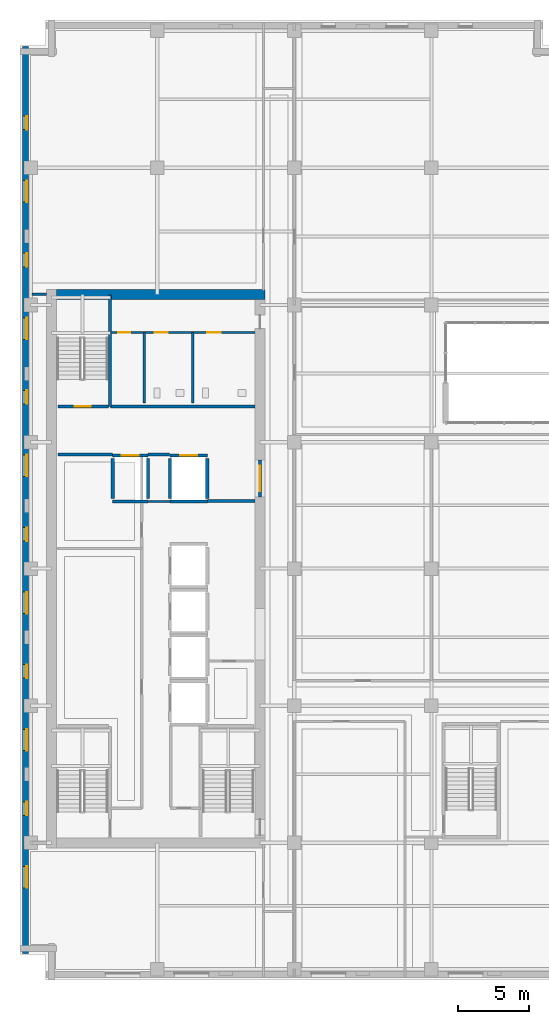
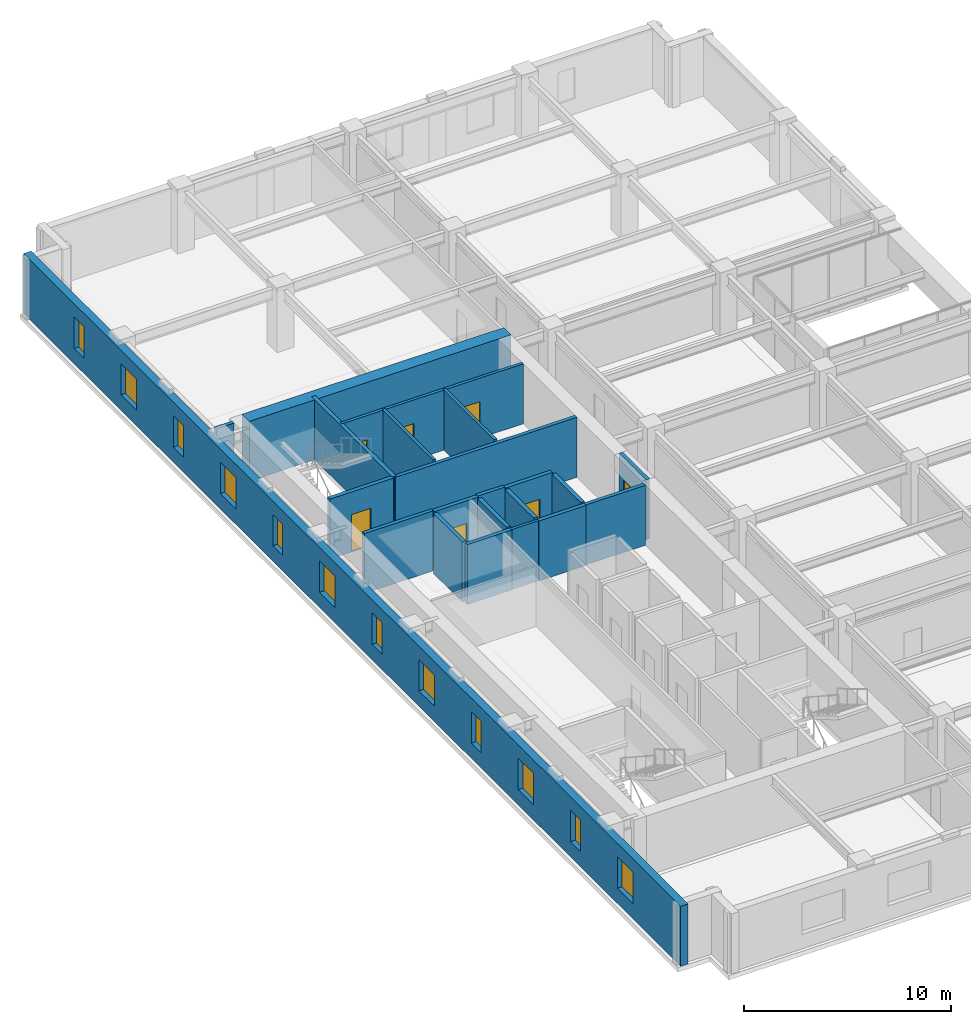
# One storey, part 6 of 13: 22 walls, 12 windows, 7 doors, 19 openings.
"""IFC4 building model written with IfcOpenShell, lengths in metres."""

from ifc_helpers import new_model, si_unit, direction, frame, frame_2d, origin, place, context, subcontext, project, spatial, rectangle, extrude, material, layer, layer_set, type_object, element, fill, save


model = new_model("IFC4")

# Units and contexts
model_context = context("Model", 3, precision=1e-05, world=origin(), true_north=direction((0.0, 1.0)))
body_context = subcontext(model_context, "Body", "Model", "MODEL_VIEW")
ifc_project = project(units=[si_unit("LENGTHUNIT", "METRE"), si_unit("AREAUNIT", "SQUARE_METRE"), si_unit("VOLUMEUNIT", "CUBIC_METRE"), si_unit("PLANEANGLEUNIT", "RADIAN"), si_unit("MASSUNIT", "GRAM", prefix="KILO")], contexts=[model_context])

# Site, building, storey
site_placement = place(None, origin())
site = spatial("IfcSite", under=ifc_project, at=site_placement, CompositionType="ELEMENT")
building_placement = place(site_placement, origin())
building = spatial("IfcBuilding", under=site, at=building_placement, Name="Norrvale University Quadrangle", CompositionType="ELEMENT")
storey_placement = place(building_placement, frame((0.0, 0.0, 171.199951171875)))
storey = spatial("IfcBuildingStorey", under=building, at=storey_placement, Name="L43", CompositionType="ELEMENT", Elevation=171.199951171875)

# Wall, openings, windows
ifc_material_1 = material(Name="Buff Norman Clay Brick Masonry", Category="masonry")
ifc_layer_1 = layer(ifc_material_1, 0.419921875, Name="Buff Norman Clay Brick Masonry")
ifc_layer_set_1 = layer_set([ifc_layer_1], Name="Buff Norman Clay Brick Masonry")
wall_type_1 = type_object("IfcWallType", Name="Wall Buff Brick 420", PredefinedType="SOLIDWALL", material=ifc_layer_set_1)
wall_1_placement = place(storey_placement, frame((0.389892578125, 65.360107421875, 0.0), z_axis=(0.0, 0.0, 1.0), x_axis=(0.0, -1.0, 0.0)))
wall_1 = element("IfcWall", 1, at=wall_1_placement, inside=storey, type_object=wall_type_1, Name="Exterior Brick Facade Wall L43-14.1", PredefinedType="SOLIDWALL", context=body_context, shape_type="SweptSolid", body=[
    extrude(rectangle(XDim=63.52001953125, YDim=0.419921875, at=frame_2d((31.760009765625, 0.0))), origin(), (0.0, 0.0, 1.0), 3.5400390625),
])
opening_1_placement = place(wall_1_placement, frame((4.885009765625, 0.0, 0.89990234375)))
opening_1 = element("IfcOpeningElement", 2, at=opening_1_placement, cuts=wall_1, Name="Opening W04", PredefinedType="OPENING", context=body_context, shape_type="SweptSolid", body=[
    extrude(rectangle(XDim=0.949951171875, YDim=1.85009765625, at=frame_2d((0.47509765625, 0.925048828125))), frame((0.0, 0.221923828125, 0.0), z_axis=(0.0, -1.0, 0.0), x_axis=(1.0, 0.0, 0.0)), (0.0, 0.0, 1.0), 0.44384765625),
])
opening_2_placement = place(wall_1_placement, frame((9.409912109375, 0.0, 0.89990234375)))
opening_2 = element("IfcOpeningElement", 3, at=opening_2_placement, cuts=wall_1, Name="Opening W03", PredefinedType="OPENING", context=body_context, shape_type="SweptSolid", body=[
    extrude(rectangle(XDim=1.5, YDim=1.85009765625, at=frame_2d((0.75, 0.925048828125))), frame((0.0, 0.221923828125, 0.0), z_axis=(0.0, -1.0, 0.0), x_axis=(1.0, 0.0, 0.0)), (0.0, 0.0, 1.0), 0.44384765625),
])
opening_3_placement = place(wall_1_placement, frame((14.485107421875, 0.0, 0.89990234375)))
opening_3 = element("IfcOpeningElement", 4, at=opening_3_placement, cuts=wall_1, Name="Opening W04", PredefinedType="OPENING", context=body_context, shape_type="SweptSolid", body=[
    extrude(rectangle(XDim=0.949951171875, YDim=1.85009765625, at=frame_2d((0.47509765625, 0.925048828125))), frame((0.0, 0.221923828125, 0.0), z_axis=(0.0, -1.0, 0.0), x_axis=(1.0, 0.0, 0.0)), (0.0, 0.0, 1.0), 0.44384765625),
])
opening_4_placement = place(wall_1_placement, frame((19.010009765625, 0.0, 0.89990234375)))
opening_4 = element("IfcOpeningElement", 5, at=opening_4_placement, cuts=wall_1, Name="Opening W03", PredefinedType="OPENING", context=body_context, shape_type="SweptSolid", body=[
    extrude(rectangle(XDim=1.5, YDim=1.85009765625, at=frame_2d((0.75, 0.925048828125))), frame((0.0, 0.221923828125, 0.0), z_axis=(0.0, -1.0, 0.0), x_axis=(1.0, 0.0, 0.0)), (0.0, 0.0, 1.0), 0.44384765625),
])
opening_5_placement = place(wall_1_placement, frame((24.0849609375, 0.0, 0.89990234375)))
opening_5 = element("IfcOpeningElement", 6, at=opening_5_placement, cuts=wall_1, Name="Opening W04", PredefinedType="OPENING", context=body_context, shape_type="SweptSolid", body=[
    extrude(rectangle(XDim=0.949951171875, YDim=1.85009765625, at=frame_2d((0.47509765625, 0.925048828125))), frame((0.0, 0.221923828125, 0.0), z_axis=(0.0, -1.0, 0.0), x_axis=(1.0, 0.0, 0.0)), (0.0, 0.0, 1.0), 0.44384765625),
])
opening_6_placement = place(wall_1_placement, frame((28.610107421875, 0.0, 0.89990234375)))
opening_6 = element("IfcOpeningElement", 7, at=opening_6_placement, cuts=wall_1, Name="Opening W03", PredefinedType="OPENING", context=body_context, shape_type="SweptSolid", body=[
    extrude(rectangle(XDim=1.5, YDim=1.85009765625, at=frame_2d((0.75, 0.925048828125))), frame((0.0, 0.221923828125, 0.0), z_axis=(0.0, -1.0, 0.0), x_axis=(1.0, 0.0, 0.0)), (0.0, 0.0, 1.0), 0.44384765625),
])
opening_7_placement = place(wall_1_placement, frame((33.68505859375, 0.0, 0.89990234375)))
opening_7 = element("IfcOpeningElement", 8, at=opening_7_placement, cuts=wall_1, Name="Opening W04", PredefinedType="OPENING", context=body_context, shape_type="SweptSolid", body=[
    extrude(rectangle(XDim=0.949951171875, YDim=1.85009765625, at=frame_2d((0.47509765625, 0.925048828125))), frame((0.0, 0.221923828125, 0.0), z_axis=(0.0, -1.0, 0.0), x_axis=(1.0, 0.0, 0.0)), (0.0, 0.0, 1.0), 0.44384765625),
])
opening_8_placement = place(wall_1_placement, frame((38.2099609375, 0.0, 0.89990234375)))
opening_8 = element("IfcOpeningElement", 9, at=opening_8_placement, cuts=wall_1, Name="Opening W03", PredefinedType="OPENING", context=body_context, shape_type="SweptSolid", body=[
    extrude(rectangle(XDim=1.5, YDim=1.85009765625, at=frame_2d((0.75, 0.925048828125))), frame((0.0, 0.221923828125, 0.0), z_axis=(0.0, -1.0, 0.0), x_axis=(1.0, 0.0, 0.0)), (0.0, 0.0, 1.0), 0.44384765625),
])
opening_9_placement = place(wall_1_placement, frame((43.284912109375, 0.0, 0.89990234375)))
opening_9 = element("IfcOpeningElement", 10, at=opening_9_placement, cuts=wall_1, Name="Opening W04", PredefinedType="OPENING", context=body_context, shape_type="SweptSolid", body=[
    extrude(rectangle(XDim=0.949951171875, YDim=1.85009765625, at=frame_2d((0.47509765625, 0.925048828125))), frame((0.0, 0.221923828125, 0.0), z_axis=(0.0, -1.0, 0.0), x_axis=(1.0, 0.0, 0.0)), (0.0, 0.0, 1.0), 0.44384765625),
])
opening_10_placement = place(wall_1_placement, frame((47.81005859375, 0.0, 0.89990234375)))
opening_10 = element("IfcOpeningElement", 11, at=opening_10_placement, cuts=wall_1, Name="Opening W03", PredefinedType="OPENING", context=body_context, shape_type="SweptSolid", body=[
    extrude(rectangle(XDim=1.5, YDim=1.85009765625, at=frame_2d((0.75, 0.925048828125))), frame((0.0, 0.221923828125, 0.0), z_axis=(0.0, -1.0, 0.0), x_axis=(1.0, 0.0, 0.0)), (0.0, 0.0, 1.0), 0.44384765625),
])
opening_11_placement = place(wall_1_placement, frame((52.885009765625, 0.0, 0.89990234375)))
opening_11 = element("IfcOpeningElement", 12, at=opening_11_placement, cuts=wall_1, Name="Opening W04", PredefinedType="OPENING", context=body_context, shape_type="SweptSolid", body=[
    extrude(rectangle(XDim=0.949951171875, YDim=1.85009765625, at=frame_2d((0.47509765625, 0.925048828125))), frame((0.0, 0.221923828125, 0.0), z_axis=(0.0, -1.0, 0.0), x_axis=(1.0, 0.0, 0.0)), (0.0, 0.0, 1.0), 0.44384765625),
])
opening_12_placement = place(wall_1_placement, frame((57.409912109375, 0.0, 0.89990234375)))
opening_12 = element("IfcOpeningElement", 13, at=opening_12_placement, cuts=wall_1, Name="Opening W03", PredefinedType="OPENING", context=body_context, shape_type="SweptSolid", body=[
    extrude(rectangle(XDim=1.5, YDim=1.85009765625, at=frame_2d((0.75, 0.925048828125))), frame((0.0, 0.221923828125, 0.0), z_axis=(0.0, -1.0, 0.0), x_axis=(1.0, 0.0, 0.0)), (0.0, 0.0, 1.0), 0.44384765625),
])
ifc_material_2 = material(Name="Triple Low-E Argon Glazing", Category="glass")
window_type_1 = type_object("IfcWindowType", Name="Window Narrow Pier 950x2300", PartitioningType="SINGLE_PANEL", PredefinedType="WINDOW", material=ifc_material_2)
window_1_placement = place(opening_1_placement, origin())
window_1 = element("IfcWindow", 14, at=window_1_placement, inside=storey, type_object=window_type_1, Name="Window Narrow Pier 950x2300 WIN-L43-E14-1-01", OverallHeight=1.85009765625, OverallWidth=0.949951171875, PartitioningType="SINGLE_PANEL", PredefinedType="WINDOW", context=body_context, shape_type="SweptSolid", body=[
    extrude(rectangle(XDim=0.949951171875, YDim=1.85009765625, at=frame_2d((0.47509765625, 0.925048828125))), frame((0.0, 0.110107421875, 0.0), z_axis=(0.0, -1.0, 0.0), x_axis=(1.0, 0.0, 0.0)), (0.0, 0.0, 1.0), 0.06005859375),
])
fill(opening_1, window_1)
window_2_placement = place(opening_3_placement, origin())
window_2 = element("IfcWindow", 15, at=window_2_placement, inside=storey, type_object=window_type_1, Name="Window Narrow Pier 950x2300 WIN-L43-E14-1-03", OverallHeight=1.85009765625, OverallWidth=0.949951171875, PartitioningType="SINGLE_PANEL", PredefinedType="WINDOW", context=body_context, shape_type="SweptSolid", body=[
    extrude(rectangle(XDim=0.949951171875, YDim=1.85009765625, at=frame_2d((0.47509765625, 0.925048828125))), frame((0.0, 0.110107421875, 0.0), z_axis=(0.0, -1.0, 0.0), x_axis=(1.0, 0.0, 0.0)), (0.0, 0.0, 1.0), 0.06005859375),
])
fill(opening_3, window_2)
window_3_placement = place(opening_5_placement, origin())
window_3 = element("IfcWindow", 16, at=window_3_placement, inside=storey, type_object=window_type_1, Name="Window Narrow Pier 950x2300 WIN-L43-E14-1-05", OverallHeight=1.85009765625, OverallWidth=0.949951171875, PartitioningType="SINGLE_PANEL", PredefinedType="WINDOW", context=body_context, shape_type="SweptSolid", body=[
    extrude(rectangle(XDim=0.949951171875, YDim=1.85009765625, at=frame_2d((0.47509765625, 0.925048828125))), frame((0.0, 0.110107421875, 0.0), z_axis=(0.0, -1.0, 0.0), x_axis=(1.0, 0.0, 0.0)), (0.0, 0.0, 1.0), 0.06005859375),
])
fill(opening_5, window_3)
window_4_placement = place(opening_7_placement, origin())
window_4 = element("IfcWindow", 17, at=window_4_placement, inside=storey, type_object=window_type_1, Name="Window Narrow Pier 950x2300 WIN-L43-E14-1-07", OverallHeight=1.85009765625, OverallWidth=0.949951171875, PartitioningType="SINGLE_PANEL", PredefinedType="WINDOW", context=body_context, shape_type="SweptSolid", body=[
    extrude(rectangle(XDim=0.949951171875, YDim=1.85009765625, at=frame_2d((0.47509765625, 0.925048828125))), frame((0.0, 0.110107421875, 0.0), z_axis=(0.0, -1.0, 0.0), x_axis=(1.0, 0.0, 0.0)), (0.0, 0.0, 1.0), 0.06005859375),
])
fill(opening_7, window_4)
window_5_placement = place(opening_9_placement, origin())
window_5 = element("IfcWindow", 18, at=window_5_placement, inside=storey, type_object=window_type_1, Name="Window Narrow Pier 950x2300 WIN-L43-E14-1-09", OverallHeight=1.85009765625, OverallWidth=0.949951171875, PartitioningType="SINGLE_PANEL", PredefinedType="WINDOW", context=body_context, shape_type="SweptSolid", body=[
    extrude(rectangle(XDim=0.949951171875, YDim=1.85009765625, at=frame_2d((0.47509765625, 0.925048828125))), frame((0.0, 0.110107421875, 0.0), z_axis=(0.0, -1.0, 0.0), x_axis=(1.0, 0.0, 0.0)), (0.0, 0.0, 1.0), 0.06005859375),
])
fill(opening_9, window_5)
window_6_placement = place(opening_11_placement, origin())
window_6 = element("IfcWindow", 19, at=window_6_placement, inside=storey, type_object=window_type_1, Name="Window Narrow Pier 950x2300 WIN-L43-E14-1-11", OverallHeight=1.85009765625, OverallWidth=0.949951171875, PartitioningType="SINGLE_PANEL", PredefinedType="WINDOW", context=body_context, shape_type="SweptSolid", body=[
    extrude(rectangle(XDim=0.949951171875, YDim=1.85009765625, at=frame_2d((0.47509765625, 0.925048828125))), frame((0.0, 0.110107421875, 0.0), z_axis=(0.0, -1.0, 0.0), x_axis=(1.0, 0.0, 0.0)), (0.0, 0.0, 1.0), 0.06005859375),
])
fill(opening_11, window_6)
window_type_2 = type_object("IfcWindowType", Name="Window Studio 1500x2300", PartitioningType="DOUBLE_PANEL_VERTICAL", PredefinedType="WINDOW", material=ifc_material_2)
window_7_placement = place(opening_2_placement, origin())
window_7 = element("IfcWindow", 20, at=window_7_placement, inside=storey, type_object=window_type_2, Name="Window Studio 1500x2300 WIN-L43-E14-1-02", OverallHeight=1.85009765625, OverallWidth=1.5, PartitioningType="DOUBLE_PANEL_VERTICAL", PredefinedType="WINDOW", context=body_context, shape_type="SweptSolid", body=[
    extrude(rectangle(XDim=1.5, YDim=1.85009765625, at=frame_2d((0.75, 0.925048828125))), frame((0.0, 0.110107421875, 0.0), z_axis=(0.0, -1.0, 0.0), x_axis=(1.0, 0.0, 0.0)), (0.0, 0.0, 1.0), 0.06005859375),
])
fill(opening_2, window_7)
window_8_placement = place(opening_4_placement, origin())
window_8 = element("IfcWindow", 21, at=window_8_placement, inside=storey, type_object=window_type_2, Name="Window Studio 1500x2300 WIN-L43-E14-1-04", OverallHeight=1.85009765625, OverallWidth=1.5, PartitioningType="DOUBLE_PANEL_VERTICAL", PredefinedType="WINDOW", context=body_context, shape_type="SweptSolid", body=[
    extrude(rectangle(XDim=1.5, YDim=1.85009765625, at=frame_2d((0.75, 0.925048828125))), frame((0.0, 0.110107421875, 0.0), z_axis=(0.0, -1.0, 0.0), x_axis=(1.0, 0.0, 0.0)), (0.0, 0.0, 1.0), 0.06005859375),
])
fill(opening_4, window_8)
window_9_placement = place(opening_6_placement, origin())
window_9 = element("IfcWindow", 22, at=window_9_placement, inside=storey, type_object=window_type_2, Name="Window Studio 1500x2300 WIN-L43-E14-1-06", OverallHeight=1.85009765625, OverallWidth=1.5, PartitioningType="DOUBLE_PANEL_VERTICAL", PredefinedType="WINDOW", context=body_context, shape_type="SweptSolid", body=[
    extrude(rectangle(XDim=1.5, YDim=1.85009765625, at=frame_2d((0.75, 0.925048828125))), frame((0.0, 0.110107421875, 0.0), z_axis=(0.0, -1.0, 0.0), x_axis=(1.0, 0.0, 0.0)), (0.0, 0.0, 1.0), 0.06005859375),
])
fill(opening_6, window_9)
window_10_placement = place(opening_8_placement, origin())
window_10 = element("IfcWindow", 23, at=window_10_placement, inside=storey, type_object=window_type_2, Name="Window Studio 1500x2300 WIN-L43-E14-1-08", OverallHeight=1.85009765625, OverallWidth=1.5, PartitioningType="DOUBLE_PANEL_VERTICAL", PredefinedType="WINDOW", context=body_context, shape_type="SweptSolid", body=[
    extrude(rectangle(XDim=1.5, YDim=1.85009765625, at=frame_2d((0.75, 0.925048828125))), frame((0.0, 0.110107421875, 0.0), z_axis=(0.0, -1.0, 0.0), x_axis=(1.0, 0.0, 0.0)), (0.0, 0.0, 1.0), 0.06005859375),
])
fill(opening_8, window_10)
window_11_placement = place(opening_10_placement, origin())
window_11 = element("IfcWindow", 24, at=window_11_placement, inside=storey, type_object=window_type_2, Name="Window Studio 1500x2300 WIN-L43-E14-1-10", OverallHeight=1.85009765625, OverallWidth=1.5, PartitioningType="DOUBLE_PANEL_VERTICAL", PredefinedType="WINDOW", context=body_context, shape_type="SweptSolid", body=[
    extrude(rectangle(XDim=1.5, YDim=1.85009765625, at=frame_2d((0.75, 0.925048828125))), frame((0.0, 0.110107421875, 0.0), z_axis=(0.0, -1.0, 0.0), x_axis=(1.0, 0.0, 0.0)), (0.0, 0.0, 1.0), 0.06005859375),
])
fill(opening_10, window_11)
window_12_placement = place(opening_12_placement, origin())
window_12 = element("IfcWindow", 25, at=window_12_placement, inside=storey, type_object=window_type_2, Name="Window Studio 1500x2300 WIN-L43-E14-1-12", OverallHeight=1.85009765625, OverallWidth=1.5, PartitioningType="DOUBLE_PANEL_VERTICAL", PredefinedType="WINDOW", context=body_context, shape_type="SweptSolid", body=[
    extrude(rectangle(XDim=1.5, YDim=1.85009765625, at=frame_2d((0.75, 0.925048828125))), frame((0.0, 0.110107421875, 0.0), z_axis=(0.0, -1.0, 0.0), x_axis=(1.0, 0.0, 0.0)), (0.0, 0.0, 1.0), 0.06005859375),
])
fill(opening_12, window_12)

# Walls
ifc_material_3 = material(Name="Concrete C60/75", Category="concrete")
ifc_layer_2 = layer(ifc_material_3, 0.699951171875, Name="Concrete C60/75")
ifc_layer_set_2 = layer_set([ifc_layer_2], Name="Concrete C60/75")
wall_type_2 = type_object("IfcWallType", Name="Wall Core 700", PredefinedType="SHEAR", material=ifc_layer_set_2)
wall_2_placement = place(storey_placement, frame((2.550048828125, 48.0, 0.0), z_axis=(0.0, 0.0, 1.0), x_axis=(1.0, 0.0, 0.0)))
element("IfcWall", 26, at=wall_2_placement, inside=storey, type_object=wall_type_2, Name="Tower Core Shear Wall L43-N", PredefinedType="SHEAR", context=body_context, shape_type="SweptSolid", body=[
    extrude(rectangle(XDim=14.599853515625, YDim=0.699951171875, at=frame_2d((7.2998046875, 0.0))), origin(), (0.0, 0.0, 1.0), 3.5400390625),
])
ifc_material_4 = material(Name="Fire-Rated Gypsum Stud Partition")
ifc_layer_3 = layer(ifc_material_4, 0.14990234375, Name="Fire-Rated Gypsum Stud Partition")
ifc_layer_set_3 = layer_set([ifc_layer_3], Name="Fire-Rated Gypsum Stud Partition")
wall_type_3 = type_object("IfcWallType", Name="Wall Gypsum Corridor 150", PredefinedType="PARTITIONING", material=ifc_layer_set_3)
wall_3_placement = place(storey_placement, frame((8.965087890625, 33.489990234375, 0.0), z_axis=(0.0, 0.0, 1.0), x_axis=(1.0, 0.0, 0.0)))
element("IfcWall", 27, at=wall_3_placement, inside=storey, type_object=wall_type_3, Name="Interior Partition WL-L43-LL3", PredefinedType="PARTITIONING", context=body_context, shape_type="SweptSolid", body=[
    extrude(rectangle(XDim=1.52001953125, YDim=0.14990234375, at=frame_2d((0.760009765625, 0.0))), origin(), (0.0, 0.0, 1.0), 3.5400390625),
])

# Wall, openings, doors
ifc_material_5 = material(Name="Sanitary Chase Gypsum Partition")
ifc_layer_4 = layer(ifc_material_5, 0.1650390625, Name="Sanitary Chase Gypsum Partition")
ifc_layer_set_4 = layer_set([ifc_layer_4], Name="Sanitary Chase Gypsum Partition")
wall_type_4 = type_object("IfcWallType", Name="Wall Gypsum Sanitary 165", PredefinedType="PLUMBINGWALL", material=ifc_layer_set_4)
wall_4_placement = place(storey_placement, frame((6.320068359375, 45.320068359375, 0.0), z_axis=(0.0, 0.0, 1.0), x_axis=(1.0, 0.0, 0.0)))
wall_4 = element("IfcWall", 28, at=wall_4_placement, inside=storey, type_object=wall_type_4, Name="Interior Partition WL-L43-WCN", PredefinedType="PLUMBINGWALL", context=body_context, shape_type="SweptSolid", body=[
    extrude(rectangle(XDim=10.1298828125, YDim=0.1650390625, at=frame_2d((5.06494140625, 0.0))), origin(), (0.0, 0.0, 1.0), 3.5400390625),
])
opening_13_placement = place(wall_4_placement, frame((0.550048828125, 0.0, 0.0)))
opening_13 = element("IfcOpeningElement", 29, at=opening_13_placement, cuts=wall_4, Name="Opening D10", PredefinedType="OPENING", context=body_context, shape_type="SweptSolid", body=[
    extrude(rectangle(XDim=0.85009765625, YDim=2.10009765625, at=frame_2d((0.425048828125, 1.050048828125))), frame((0.0, 0.094482421875, 0.0), z_axis=(0.0, -1.0, 0.0), x_axis=(1.0, 0.0, 0.0)), (0.0, 0.0, 1.0), 0.18896484375),
])
opening_14_placement = place(wall_4_placement, frame((3.10009765625, 0.0, 0.0)))
opening_14 = element("IfcOpeningElement", 30, at=opening_14_placement, cuts=wall_4, Name="Opening D08", PredefinedType="OPENING", context=body_context, shape_type="SweptSolid", body=[
    extrude(rectangle(XDim=0.919921875, YDim=2.14990234375, at=frame_2d((0.4599609375, 1.074951171875))), frame((0.0, 0.094482421875, 0.0), z_axis=(0.0, -1.0, 0.0), x_axis=(1.0, 0.0, 0.0)), (0.0, 0.0, 1.0), 0.18896484375),
])
opening_15_placement = place(wall_4_placement, frame((6.800048828125, 0.0, 0.0)))
opening_15 = element("IfcOpeningElement", 31, at=opening_15_placement, cuts=wall_4, Name="Opening D08", PredefinedType="OPENING", context=body_context, shape_type="SweptSolid", body=[
    extrude(rectangle(XDim=0.919921875, YDim=2.14990234375, at=frame_2d((0.4599609375, 1.074951171875))), frame((0.0, 0.094482421875, 0.0), z_axis=(0.0, -1.0, 0.0), x_axis=(1.0, 0.0, 0.0)), (0.0, 0.0, 1.0), 0.18896484375),
])
ifc_material_6 = material(Name="Hollow Steel 350W Riser Fire Door", Category="steel")
door_type_1 = type_object("IfcDoorType", Name="Door Riser 850x2100", OperationType="NOTDEFINED", PredefinedType="DOOR", material=ifc_material_6)
door_1_placement = place(opening_13_placement, origin())
door_1 = element("IfcDoor", 32, at=door_1_placement, inside=storey, type_object=door_type_1, Name="Door Riser 850x2100 DR-L43-WC1", OperationType="SINGLE_SWING_LEFT", OverallHeight=2.10009765625, OverallWidth=0.85009765625, PredefinedType="DOOR", context=body_context, shape_type="SweptSolid", body=[
    extrude(rectangle(XDim=0.85009765625, YDim=2.10009765625, at=frame_2d((0.425048828125, 1.050048828125))), frame((0.0, 0.02490234375, 0.0), z_axis=(0.0, -1.0, 0.0), x_axis=(1.0, 0.0, 0.0)), (0.0, 0.0, 1.0), 0.050048828125),
])
fill(opening_13, door_1)
ifc_material_7 = material(Name="Laminate Washroom Door", Category="wood")
door_type_2 = type_object("IfcDoorType", Name="Door Washroom 920x2150", OperationType="NOTDEFINED", PredefinedType="DOOR", material=ifc_material_7)
door_2_placement = place(opening_14_placement, origin())
door_2 = element("IfcDoor", 33, at=door_2_placement, inside=storey, type_object=door_type_2, Name="Door Washroom 920x2150 DR-L43-WC2", OperationType="SINGLE_SWING_RIGHT", OverallHeight=2.14990234375, OverallWidth=0.919921875, PredefinedType="DOOR", context=body_context, shape_type="SweptSolid", body=[
    extrude(rectangle(XDim=0.919921875, YDim=2.14990234375, at=frame_2d((0.4599609375, 1.074951171875))), frame((0.0, 0.02490234375, 0.0), z_axis=(0.0, -1.0, 0.0), x_axis=(1.0, 0.0, 0.0)), (0.0, 0.0, 1.0), 0.050048828125),
])
fill(opening_14, door_2)
door_3_placement = place(opening_15_placement, origin())
door_3 = element("IfcDoor", 34, at=door_3_placement, inside=storey, type_object=door_type_2, Name="Door Washroom 920x2150 DR-L43-WC3", OperationType="SINGLE_SWING_LEFT", OverallHeight=2.14990234375, OverallWidth=0.919921875, PredefinedType="DOOR", context=body_context, shape_type="SweptSolid", body=[
    extrude(rectangle(XDim=0.919921875, YDim=2.14990234375, at=frame_2d((0.4599609375, 1.074951171875))), frame((0.0, 0.02490234375, 0.0), z_axis=(0.0, -1.0, 0.0), x_axis=(1.0, 0.0, 0.0)), (0.0, 0.0, 1.0), 0.050048828125),
])
fill(opening_15, door_3)

# Walls
for number, where, z_axis, x_axis, name in (
    (35, (8.699951171875, 40.39990234375, 0.0), (0.0, 0.0, 1.0), (0.0, 1.0, 0.0), "Interior Partition WL-L43-WCM1"),
    (36, (12.10009765625, 40.39990234375, 0.0), (0.0, 0.0, 1.0), (0.0, 1.0, 0.0), "Interior Partition WL-L43-WCM2"),
):
    element("IfcWall", number, at=place(storey_placement, frame(where, z_axis=z_axis, x_axis=x_axis)), inside=storey, type_object=wall_type_4, Name=name, PredefinedType="PLUMBINGWALL", context=body_context, shape_type="SweptSolid", body=[
        extrude(rectangle(XDim=4.920166015625, YDim=0.1650390625, at=frame_2d((2.4599609375, 0.0))), origin(), (0.0, 0.0, 1.0), 3.5400390625),
    ])
ifc_material_8 = material(Name="Concrete Blockwork 20 MPa Rated Wall", Category="masonry")
ifc_layer_5 = layer(ifc_material_8, 0.199951171875, Name="Concrete Blockwork 20 MPa Rated Wall")
ifc_layer_set_5 = layer_set([ifc_layer_5], Name="Concrete Blockwork 20 MPa Rated Wall")
wall_type_5 = type_object("IfcWallType", Name="Wall Lobby 200", PredefinedType="SOLIDWALL", material=ifc_layer_set_5)
wall_5_placement = place(storey_placement, frame((2.64990234375, 36.780029296875, 0.0), z_axis=(0.0, 0.0, 1.0), x_axis=(1.0, 0.0, 0.0)))
element("IfcWall", 37, at=wall_5_placement, inside=storey, type_object=wall_type_5, Name="Interior Partition WL-L43-FF1", PredefinedType="SOLIDWALL", context=body_context, shape_type="SweptSolid", body=[
    extrude(rectangle(XDim=3.830078125, YDim=0.199951171875, at=frame_2d((1.9150390625, 0.0))), origin(), (0.0, 0.0, 1.0), 3.5400390625),
])
wall_6_placement = place(storey_placement, frame((8.969970703125, 36.780029296875, 0.0), z_axis=(0.0, 0.0, 1.0), x_axis=(1.0, 0.0, 0.0)))
element("IfcWall", 38, at=wall_6_placement, inside=storey, type_object=wall_type_5, Name="Interior Partition WL-L43-FF2", PredefinedType="SOLIDWALL", context=body_context, shape_type="SweptSolid", body=[
    extrude(rectangle(XDim=1.510009765625, YDim=0.199951171875, at=frame_2d((0.7548828125, 0.0))), origin(), (0.0, 0.0, 1.0), 3.5400390625),
])
wall_7_placement = place(storey_placement, frame((13.1201171875, 33.52001953125, 0.0), z_axis=(0.0, 0.0, 1.0), x_axis=(1.0, 0.0, 0.0)))
element("IfcWall", 39, at=wall_7_placement, inside=storey, type_object=wall_type_5, Name="Interior Partition WL-L43-FF3", PredefinedType="SOLIDWALL", context=body_context, shape_type="SweptSolid", body=[
    extrude(rectangle(XDim=3.329833984375, YDim=0.199951171875, at=frame_2d((1.6650390625, 0.0))), origin(), (0.0, 0.0, 1.0), 3.5400390625),
])
wall_8_placement = place(storey_placement, frame((6.320068359375, 40.139892578125, 0.0), z_axis=(0.0, 0.0, 1.0), x_axis=(1.0, 0.0, 0.0)))
element("IfcWall", 40, at=wall_8_placement, inside=storey, type_object=wall_type_5, Name="Interior Partition WL-L43-FF4", PredefinedType="SOLIDWALL", context=body_context, shape_type="SweptSolid", body=[
    extrude(rectangle(XDim=10.1298828125, YDim=0.199951171875, at=frame_2d((5.06494140625, 0.0))), origin(), (0.0, 0.0, 1.0), 3.5400390625),
])

# Wall, opening, door
wall_9_placement = place(storey_placement, frame((16.800048828125, 33.800048828125, 0.0), z_axis=(0.0, 0.0, 1.0), x_axis=(0.0, 1.0, 0.0)))
wall_9 = element("IfcWall", 41, at=wall_9_placement, inside=storey, type_object=wall_type_5, Name="Interior Partition WL-L43-FFP", PredefinedType="SOLIDWALL", context=body_context, shape_type="SweptSolid", body=[
    extrude(rectangle(XDim=2.599853515625, YDim=0.199951171875, at=frame_2d((1.2998046875, 0.0))), origin(), (0.0, 0.0, 1.0), 3.5400390625),
])
opening_16_placement = place(wall_9_placement, frame((0.39990234375, 0.0, 0.0)))
opening_16 = element("IfcOpeningElement", 42, at=opening_16_placement, cuts=wall_9, Name="Opening D03", PredefinedType="OPENING", context=body_context, shape_type="SweptSolid", body=[
    extrude(rectangle(XDim=1.800048828125, YDim=2.199951171875, at=frame_2d((0.89990234375, 1.10009765625))), frame((0.0, 0.112060546875, 0.0), z_axis=(0.0, -1.0, 0.0), x_axis=(1.0, 0.0, 0.0)), (0.0, 0.0, 1.0), 0.223876953125),
])
ifc_material_9 = material(Name="Hollow Steel 350W Fire Door", Category="steel")
door_type_3 = type_object("IfcDoorType", Name="Door Fire Lobby 1800x2200", OperationType="DOUBLE_DOOR_SINGLE_SWING", PredefinedType="DOOR", material=ifc_material_9)
door_4_placement = place(opening_16_placement, origin())
door_4 = element("IfcDoor", 43, at=door_4_placement, inside=storey, type_object=door_type_3, Name="Door Fire Lobby 1800x2200 DR-L43-FFP", OperationType="DOUBLE_DOOR_SINGLE_SWING", OverallHeight=2.199951171875, OverallWidth=1.800048828125, PredefinedType="DOOR", context=body_context, shape_type="SweptSolid", body=[
    extrude(rectangle(XDim=1.800048828125, YDim=2.199951171875, at=frame_2d((0.89990234375, 1.10009765625))), frame((0.0, 0.02490234375, 0.0), z_axis=(0.0, -1.0, 0.0), x_axis=(1.0, 0.0, 0.0)), (0.0, 0.0, 1.0), 0.050048828125),
])
fill(opening_16, door_4)

# Wall
wall_10_placement = place(storey_placement, frame((0.85009765625, 48.0, 0.0), z_axis=(0.0, 0.0, 1.0), x_axis=(1.0, 0.0, 0.0)))
element("IfcWall", 44, at=wall_10_placement, inside=storey, type_object=wall_type_5, Name="Interior Partition WL-L43-CWRET-N", PredefinedType="SOLIDWALL", context=body_context, shape_type="SweptSolid", body=[
    extrude(rectangle(XDim=0.994873046875, YDim=0.199951171875, at=frame_2d((0.49755859375, 0.0))), origin(), (0.0, 0.0, 1.0), 3.5400390625),
])

# Wall, opening, door
ifc_material_10 = material(Name="Concrete Blockwork 20 MPa Fire Shaft", Category="masonry")
ifc_layer_6 = layer(ifc_material_10, 0.219970703125, Name="Concrete Blockwork 20 MPa Fire Shaft")
ifc_layer_set_6 = layer_set([ifc_layer_6], Name="Concrete Blockwork 20 MPa Fire Shaft")
wall_type_6 = type_object("IfcWallType", Name="Wall Shaft 220", PredefinedType="SOLIDWALL", material=ifc_layer_set_6)
wall_11_placement = place(storey_placement, frame((2.64990234375, 40.139892578125, 0.0), z_axis=(0.0, 0.0, 1.0), x_axis=(1.0, 0.0, 0.0)))
wall_11 = element("IfcWall", 45, at=wall_11_placement, inside=storey, type_object=wall_type_6, Name="Stair ST-02 South Shaft Wall L43", PredefinedType="SOLIDWALL", context=body_context, shape_type="SweptSolid", body=[
    extrude(rectangle(XDim=3.550048828125, YDim=0.219970703125, at=frame_2d((1.77490234375, 0.0))), origin(), (0.0, 0.0, 1.0), 3.5400390625),
])
opening_17_placement = place(wall_11_placement, frame((1.199951171875, 0.0, 0.0)))
opening_17 = element("IfcOpeningElement", 46, at=opening_17_placement, cuts=wall_11, Name="Opening D02", PredefinedType="OPENING", context=body_context, shape_type="SweptSolid", body=[
    extrude(rectangle(XDim=1.10009765625, YDim=2.199951171875, at=frame_2d((0.550048828125, 1.10009765625))), frame((0.0, 0.1220703125, 0.0), z_axis=(0.0, -1.0, 0.0), x_axis=(1.0, 0.0, 0.0)), (0.0, 0.0, 1.0), 0.243896484375),
])
door_type_4 = type_object("IfcDoorType", Name="Door Stair Exit 1100x2200", OperationType="NOTDEFINED", PredefinedType="DOOR", material=ifc_material_9)
door_5_placement = place(opening_17_placement, origin())
door_5 = element("IfcDoor", 47, at=door_5_placement, inside=storey, type_object=door_type_4, Name="Door Stair Exit 1100x2200 DR-L43-ST02", OperationType="SINGLE_SWING_LEFT", OverallHeight=2.199951171875, OverallWidth=1.10009765625, PredefinedType="DOOR", context=body_context, shape_type="SweptSolid", body=[
    extrude(rectangle(XDim=1.10009765625, YDim=2.199951171875, at=frame_2d((0.550048828125, 1.10009765625))), frame((0.0, 0.02490234375, 0.0), z_axis=(0.0, -1.0, 0.0), x_axis=(1.0, 0.0, 0.0)), (0.0, 0.0, 1.0), 0.050048828125),
])
fill(opening_17, door_5)

# Walls
wall_12_placement = place(storey_placement, frame((6.31005859375, 40.139892578125, 0.0), z_axis=(0.0, 0.0, 1.0), x_axis=(0.0, 1.0, 0.0)))
element("IfcWall", 48, at=wall_12_placement, inside=storey, type_object=wall_type_6, Name="Stair ST-02 East Shaft Wall L43", PredefinedType="SOLIDWALL", context=body_context, shape_type="SweptSolid", body=[
    extrude(rectangle(XDim=7.81005859375, YDim=0.219970703125, at=frame_2d((3.905029296875, 0.0))), origin(), (0.0, 0.0, 1.0), 3.5400390625),
])
for number, where, z_axis, x_axis, name in (
    (49, (6.489990234375, 33.7099609375, 0.0), (0.0, 0.0, 1.0), (0.0, 1.0, 0.0), "Hoistway FFL-01 West Wall L43"),
    (50, (8.9599609375, 33.7099609375, 0.0), (0.0, 0.0, 1.0), (0.0, 1.0, 0.0), "Hoistway FFL-01 East Wall L43"),
):
    element("IfcWall", number, at=place(storey_placement, frame(where, z_axis=z_axis, x_axis=x_axis)), inside=storey, type_object=wall_type_6, Name=name, PredefinedType="SOLIDWALL", context=body_context, shape_type="SweptSolid", body=[
        extrude(rectangle(XDim=2.780029296875, YDim=0.219970703125, at=frame_2d((1.39013671875, 0.0))), origin(), (0.0, 0.0, 1.0), 3.5400390625),
    ])
wall_13_placement = place(storey_placement, frame((6.489990234375, 33.489990234375, 0.0), z_axis=(0.0, 0.0, 1.0), x_axis=(1.0, 0.0, 0.0)))
element("IfcWall", 51, at=wall_13_placement, inside=storey, type_object=wall_type_6, Name="Hoistway FFL-01 South Wall L43", PredefinedType="SOLIDWALL", context=body_context, shape_type="SweptSolid", body=[
    extrude(rectangle(XDim=2.469970703125, YDim=0.219970703125, at=frame_2d((1.23486328125, 0.0))), origin(), (0.0, 0.0, 1.0), 3.5400390625),
])

# Wall, opening, door
wall_14_placement = place(storey_placement, frame((6.489990234375, 36.7099609375, 0.0), z_axis=(0.0, 0.0, 1.0), x_axis=(1.0, 0.0, 0.0)))
wall_14 = element("IfcWall", 52, at=wall_14_placement, inside=storey, type_object=wall_type_6, Name="Hoistway FFL-01 North Wall L43", PredefinedType="SOLIDWALL", context=body_context, shape_type="SweptSolid", body=[
    extrude(rectangle(XDim=2.469970703125, YDim=0.219970703125, at=frame_2d((1.23486328125, 0.0))), origin(), (0.0, 0.0, 1.0), 3.5400390625),
])
opening_18_placement = place(wall_14_placement, frame((0.635009765625, 0.0, 0.0)))
opening_18 = element("IfcOpeningElement", 53, at=opening_18_placement, cuts=wall_14, Name="Opening LD2", PredefinedType="OPENING", context=body_context, shape_type="SweptSolid", body=[
    extrude(rectangle(XDim=1.199951171875, YDim=2.199951171875, at=frame_2d((0.60009765625, 1.10009765625))), frame((0.0, 0.1220703125, 0.0), z_axis=(0.0, -1.0, 0.0), x_axis=(1.0, 0.0, 0.0)), (0.0, 0.0, 1.0), 0.243896484375),
])
ifc_material_11 = material(Name="Stainless Steel 316L Firefighter Lift Door", Category="steel")
door_type_5 = type_object("IfcDoorType", Name="Door Fire Lift 1200x2200", OperationType="DOUBLE_DOOR_SLIDING", PredefinedType="DOOR", material=ifc_material_11)
door_6_placement = place(opening_18_placement, origin())
door_6 = element("IfcDoor", 54, at=door_6_placement, inside=storey, type_object=door_type_5, Name="Elevator Landing Door DR-L43-FFL-01", OperationType="DOUBLE_DOOR_SLIDING", OverallHeight=2.199951171875, OverallWidth=1.199951171875, PredefinedType="DOOR", context=body_context, shape_type="SweptSolid", body=[
    extrude(rectangle(XDim=1.199951171875, YDim=2.199951171875, at=frame_2d((0.60009765625, 1.10009765625))), frame((0.0, 0.02490234375, 0.0), z_axis=(0.0, -1.0, 0.0), x_axis=(1.0, 0.0, 0.0)), (0.0, 0.0, 1.0), 0.050048828125),
])
fill(opening_18, door_6)

# Walls
for number, where, z_axis, x_axis, name in (
    (55, (10.489990234375, 33.7099609375, 0.0), (0.0, 0.0, 1.0), (0.0, 1.0, 0.0), "Hoistway FFL-02 West Wall L43"),
    (56, (13.110107421875, 33.7099609375, 0.0), (0.0, 0.0, 1.0), (0.0, 1.0, 0.0), "Hoistway FFL-02 East Wall L43"),
):
    element("IfcWall", number, at=place(storey_placement, frame(where, z_axis=z_axis, x_axis=x_axis)), inside=storey, type_object=wall_type_6, Name=name, PredefinedType="SOLIDWALL", context=body_context, shape_type="SweptSolid", body=[
        extrude(rectangle(XDim=2.780029296875, YDim=0.219970703125, at=frame_2d((1.39013671875, 0.0))), origin(), (0.0, 0.0, 1.0), 3.5400390625),
    ])
wall_15_placement = place(storey_placement, frame((10.489990234375, 33.489990234375, 0.0), z_axis=(0.0, 0.0, 1.0), x_axis=(1.0, 0.0, 0.0)))
element("IfcWall", 57, at=wall_15_placement, inside=storey, type_object=wall_type_6, Name="Hoistway FFL-02 South Wall L43", PredefinedType="SOLIDWALL", context=body_context, shape_type="SweptSolid", body=[
    extrude(rectangle(XDim=2.6201171875, YDim=0.219970703125, at=frame_2d((1.31005859375, 0.0))), origin(), (0.0, 0.0, 1.0), 3.5400390625),
])

# Wall, opening, door
wall_16_placement = place(storey_placement, frame((10.489990234375, 36.7099609375, 0.0), z_axis=(0.0, 0.0, 1.0), x_axis=(1.0, 0.0, 0.0)))
wall_16 = element("IfcWall", 58, at=wall_16_placement, inside=storey, type_object=wall_type_6, Name="Hoistway FFL-02 North Wall L43", PredefinedType="SOLIDWALL", context=body_context, shape_type="SweptSolid", body=[
    extrude(rectangle(XDim=2.6201171875, YDim=0.219970703125, at=frame_2d((1.31005859375, 0.0))), origin(), (0.0, 0.0, 1.0), 3.5400390625),
])
opening_19_placement = place(wall_16_placement, frame((0.7099609375, 0.0, 0.0)))
opening_19 = element("IfcOpeningElement", 59, at=opening_19_placement, cuts=wall_16, Name="Opening LD2", PredefinedType="OPENING", context=body_context, shape_type="SweptSolid", body=[
    extrude(rectangle(XDim=1.199951171875, YDim=2.199951171875, at=frame_2d((0.60009765625, 1.10009765625))), frame((0.0, 0.1220703125, 0.0), z_axis=(0.0, -1.0, 0.0), x_axis=(1.0, 0.0, 0.0)), (0.0, 0.0, 1.0), 0.243896484375),
])
door_7_placement = place(opening_19_placement, origin())
door_7 = element("IfcDoor", 60, at=door_7_placement, inside=storey, type_object=door_type_5, Name="Elevator Landing Door DR-L43-FFL-02", OperationType="DOUBLE_DOOR_SLIDING", OverallHeight=2.199951171875, OverallWidth=1.199951171875, PredefinedType="DOOR", context=body_context, shape_type="SweptSolid", body=[
    extrude(rectangle(XDim=1.199951171875, YDim=2.199951171875, at=frame_2d((0.60009765625, 1.10009765625))), frame((0.0, 0.02490234375, 0.0), z_axis=(0.0, -1.0, 0.0), x_axis=(1.0, 0.0, 0.0)), (0.0, 0.0, 1.0), 0.050048828125),
])
fill(opening_19, door_7)

save(model, "model.ifc")
